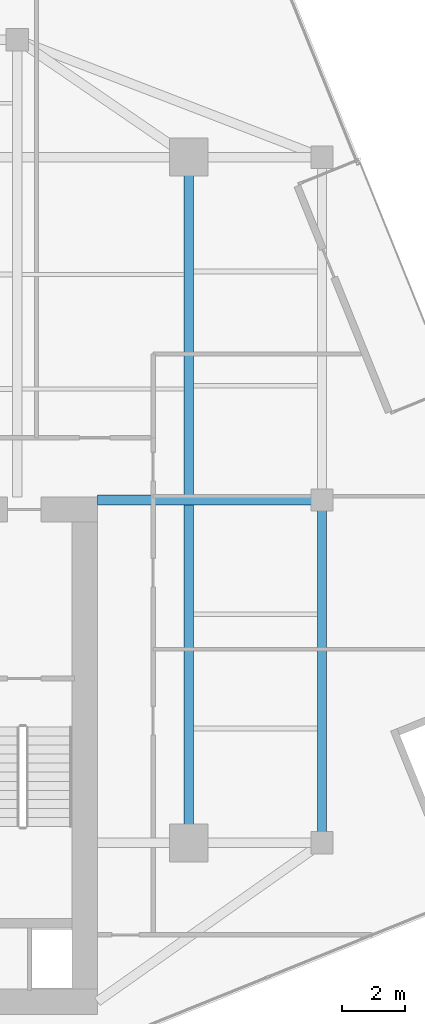
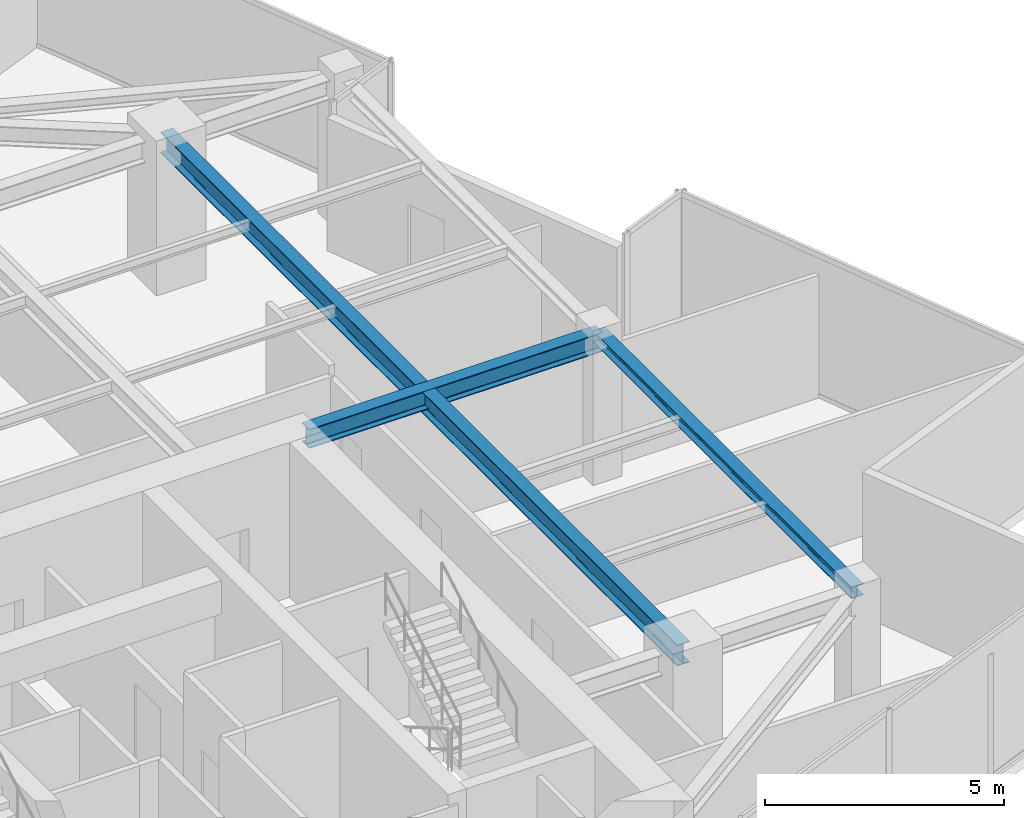
# One storey, part 10 of 21: 3 beams.
"""IFC4 building model written with IfcOpenShell, lengths in metres."""

from ifc_helpers import new_model, si_unit, direction, frame, origin, origin_2d, place, context, subcontext, project, spatial, i_section, extrude, source, transform, mapped, material, material_profile, profile_set, type_object, type_shapes, element, save


model = new_model("IFC4")

# Units and contexts
model_context = context("Model", 3, precision=1e-05, world=origin(), true_north=direction((0.0, 1.0)))
body_context = subcontext(model_context, "Body", "Model", "MODEL_VIEW")
ifc_project = project(units=[si_unit("LENGTHUNIT", "METRE"), si_unit("AREAUNIT", "SQUARE_METRE"), si_unit("VOLUMEUNIT", "CUBIC_METRE"), si_unit("PLANEANGLEUNIT", "RADIAN"), si_unit("MASSUNIT", "GRAM", prefix="KILO")], contexts=[model_context])

# Site, building, storey
site_placement = place(None, origin())
site = spatial("IfcSite", under=ifc_project, at=site_placement, CompositionType="ELEMENT")
building_placement = place(site_placement, origin())
building = spatial("IfcBuilding", under=site, at=building_placement, Name="Krantzveldt Concourse Tower", CompositionType="ELEMENT")
storey_placement = place(building_placement, frame((0.0, 0.0, 323.75)))
storey = spatial("IfcBuildingStorey", under=building, at=storey_placement, Name="L79", CompositionType="ELEMENT", Elevation=323.75)

# Beams
ifc_material = material(Name="Steel S355JR", Category="steel")
ifc_material_profile_1 = material_profile(ifc_material, i_section(OverallWidth=0.300048828125, OverallDepth=0.489990234375, WebThickness=0.011962890625, FlangeThickness=0.02294921875, FilletRadius=0.027099609375, at=origin_2d()), Name="Steel S355JR", Category="steel")
ifc_profile_set_1 = profile_set([ifc_material_profile_1], Name="Steel S355JR - HEA 500")
beam_type_1 = type_object("IfcBeamType", Name="BM-B-HEA500", PredefinedType="BEAM", material=ifc_profile_set_1)
shared_shape_1 = source(origin(), body_context, "Body", "SweptSolid", [
    extrude(i_section(OverallWidth=0.300048828125, OverallDepth=0.489990234375, WebThickness=0.011962890625, FlangeThickness=0.02294921875, FilletRadius=0.027099609375, at=origin_2d()), origin(), (0.0, 0.0, 1.0), 7.080078125),
])
type_shapes(beam_type_1, [shared_shape_1])
beam_1_placement = place(storey_placement, frame((43.919921875, 26.699951171875, 3.425048828125), z_axis=(1.0, 0.0, 0.0), x_axis=(0.0, 1.0, 0.0)))
element("IfcBeam", 1, at=beam_1_placement, inside=storey, type_object=beam_type_1, Name="L79 Tower Girder BG-CE2", PredefinedType="BEAM", context=body_context, shape_type="MappedRepresentation", body=[
    mapped(shared_shape_1, transform((0.0, 0.0, 0.0), x_axis=(1.0, 0.0, 0.0), y_axis=(0.0, 1.0, 0.0), z_axis=(0.0, 0.0, 1.0), scale=1.0)),
])
ifc_material_profile_2 = material_profile(ifc_material, i_section(OverallWidth=0.300048828125, OverallDepth=0.5400390625, WebThickness=0.012451171875, FlangeThickness=0.02392578125, FilletRadius=0.027099609375, at=origin_2d()), Name="Steel S355JR", Category="steel")
ifc_profile_set_2 = profile_set([ifc_material_profile_2], Name="Steel S355JR - HEA 550")
beam_type_2 = type_object("IfcBeamType", Name="BM-B-HEA550", PredefinedType="BEAM", material=ifc_profile_set_2)
shared_shape_2 = source(origin(), body_context, "Body", "SweptSolid", [
    extrude(i_section(OverallWidth=0.300048828125, OverallDepth=0.5400390625, WebThickness=0.012451171875, FlangeThickness=0.02392578125, FilletRadius=0.027099609375, at=origin_2d()), origin(), (0.0, 0.0, 1.0), 21.60009765625),
])
type_shapes(beam_type_2, [shared_shape_2])
beam_2_placement = place(storey_placement, frame((46.800048828125, 15.89990234375, 3.39990234375), z_axis=(0.0, 1.0, 0.0), x_axis=(-1.0, 0.0, 0.0)))
element("IfcBeam", 2, at=beam_2_placement, inside=storey, type_object=beam_type_2, Name="L79 Tower Girder BG-ME", PredefinedType="BEAM", context=body_context, shape_type="MappedRepresentation", body=[
    mapped(shared_shape_2, transform((0.0, 0.0, 0.0), x_axis=(1.0, 0.0, 0.0), y_axis=(0.0, 1.0, 0.0), z_axis=(0.0, 0.0, 1.0), scale=1.0)),
])
ifc_material_profile_3 = material_profile(ifc_material, i_section(OverallWidth=0.2900390625, OverallDepth=0.2900390625, WebThickness=0.008544921875, FlangeThickness=0.013916015625, FilletRadius=0.027099609375, at=origin_2d()), Name="Steel S355JR", Category="steel")
ifc_profile_set_3 = profile_set([ifc_material_profile_3], Name="Steel S355JR - HEA 300")
beam_type_3 = type_object("IfcBeamType", Name="BM-SP-HEA300", PredefinedType="SPANDREL", material=ifc_profile_set_3)
shared_shape_3 = source(origin(), body_context, "Body", "SweptSolid", [
    extrude(i_section(OverallWidth=0.2900390625, OverallDepth=0.2900390625, WebThickness=0.008544921875, FlangeThickness=0.013916015625, FilletRadius=0.027099609375, at=origin_2d()), origin(), (0.0, 0.0, 1.0), 10.800048828125),
])
type_shapes(beam_type_3, [shared_shape_3])
beam_3_placement = place(storey_placement, frame((51.0, 26.699951171875, 3.52490234375), z_axis=(0.0, -1.0, 0.0), x_axis=(1.0, 0.0, 0.0)))
element("IfcBeam", 3, at=beam_3_placement, inside=storey, type_object=beam_type_3, Name="L79 Tower Girder SP-R07", PredefinedType="SPANDREL", context=body_context, shape_type="MappedRepresentation", body=[
    mapped(shared_shape_3, transform((0.0, 0.0, 0.0), x_axis=(1.0, 0.0, 0.0), y_axis=(0.0, 1.0, 0.0), z_axis=(0.0, 0.0, 1.0), scale=1.0)),
])

save(model, "model.ifc")
